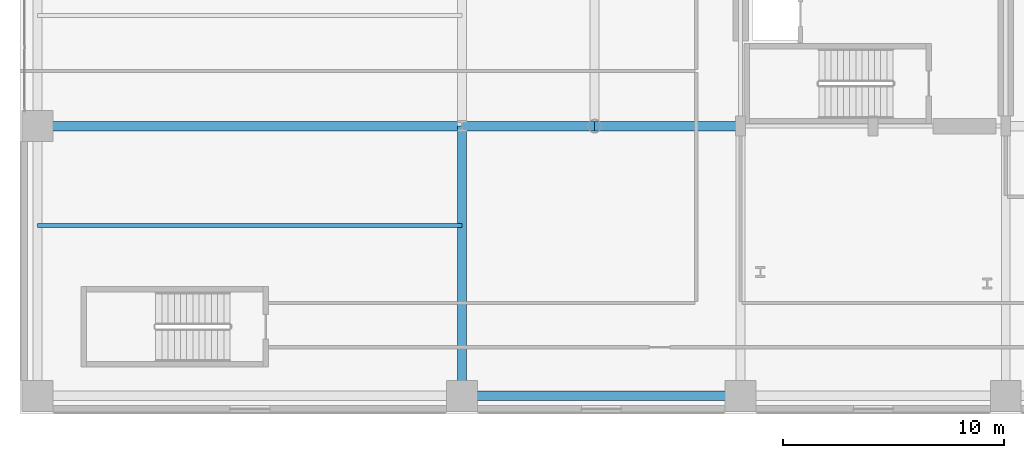
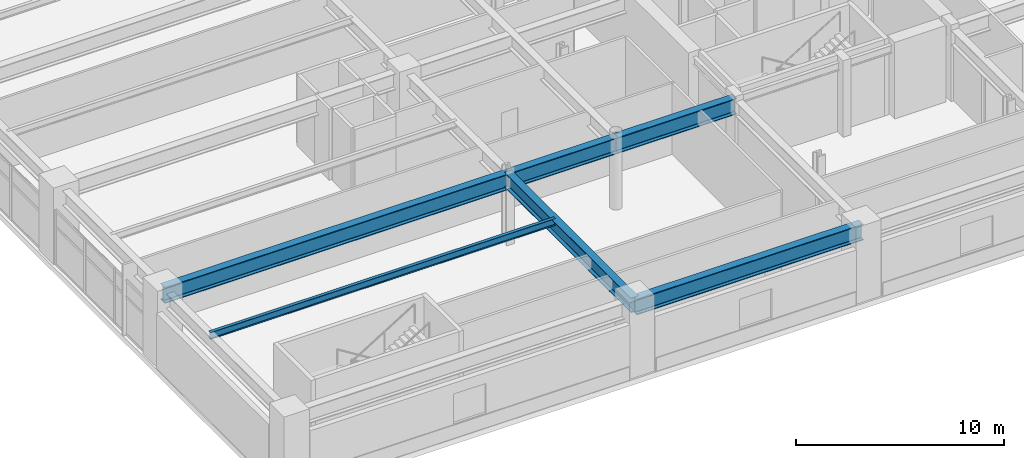
# One storey, part 6 of 28: 6 beams.
"""IFC4 building model written with IfcOpenShell, lengths in metres."""

from ifc_helpers import new_model, si_unit, direction, frame, origin, origin_2d, place, context, subcontext, project, spatial, i_section, extrude, material, material_profile, profile_set, type_object, element, save


model = new_model("IFC4")

# Units and contexts
model_context = context("Model", 3, precision=1e-05, world=origin(), true_north=direction((0.0, 1.0)))
body_context = subcontext(model_context, "Body", "Model", "MODEL_VIEW")
ifc_project = project(units=[si_unit("LENGTHUNIT", "METRE"), si_unit("AREAUNIT", "SQUARE_METRE"), si_unit("VOLUMEUNIT", "CUBIC_METRE"), si_unit("PLANEANGLEUNIT", "RADIAN"), si_unit("MASSUNIT", "GRAM", prefix="KILO")], contexts=[model_context])

# Site, building, storey
site_placement = place(None, origin())
site = spatial("IfcSite", under=ifc_project, at=site_placement, CompositionType="ELEMENT")
building_placement = place(site_placement, origin())
building = spatial("IfcBuilding", under=site, at=building_placement, Name="Soratama Intermodal Tower", CompositionType="ELEMENT")
storey_placement = place(building_placement, frame((0.0, 0.0, 20.699951171875)))
storey = spatial("IfcBuildingStorey", under=building, at=storey_placement, Name="L04", CompositionType="ELEMENT", Elevation=20.699951171875)

# Beams
ifc_material_1 = material(Name="Structural steel ASTM A992 Grade 50", Category="steel")
ifc_material_profile_1 = material_profile(ifc_material_1, i_section(OverallWidth=0.177978515625, OverallDepth=0.406982421875, WebThickness=0.0078125, FlangeThickness=0.0126953125, FilletRadius=0.010009765625, at=origin_2d()), Name="W16X40")
ifc_profile_set_1 = profile_set([ifc_material_profile_1], Name="Structural steel ASTM A992 Grade 50")
beam_type_1 = type_object("IfcBeamType", Name="BM-JST-W16X40", PredefinedType="JOIST", material=ifc_profile_set_1)
beam_1_placement = place(storey_placement, frame((0.800048828125, 10.5, 3.9765625), z_axis=(1.0, 0.0, 0.0), x_axis=(0.0, 1.0, 0.0)))
element("IfcBeam", 1, at=beam_1_placement, inside=storey, type_object=beam_type_1, Name="JST-L04-W1", PredefinedType="JOIST", context=body_context, shape_type="SweptSolid", body=[
    extrude(i_section(OverallWidth=0.177978515625, OverallDepth=0.406982421875, WebThickness=0.0078125, FlangeThickness=0.0126953125, FilletRadius=0.010009765625, at=origin_2d()), origin(), (0.0, 0.0, 1.0), 19.199951171875),
])
ifc_material_2 = material(Name="Structural steel ASTM A992 Grade 50", Category="steel")
ifc_material_profile_2 = material_profile(ifc_material_2, i_section(OverallWidth=0.423095703125, OverallDepth=0.93896484375, WebThickness=0.02392578125, FlangeThickness=0.042724609375, FilletRadius=0.02392578125, at=origin_2d()), Name="W36X302")
ifc_profile_set_2 = profile_set([ifc_material_profile_2], Name="Structural steel ASTM A992 Grade 50")
beam_type_2 = type_object("IfcBeamType", Name="BM-POD-EXT-W36", PredefinedType="BEAM", material=ifc_profile_set_2)
beam_2_placement = place(storey_placement, frame((20.0, 2.800048828125, 3.71044921875), z_axis=(1.0, 0.0, 0.0), x_axis=(0.0, 1.0, 0.0)))
element("IfcBeam", 2, at=beam_2_placement, inside=storey, type_object=beam_type_2, Name="L04 Station Girder X1-2", PredefinedType="BEAM", context=body_context, shape_type="SweptSolid", body=[
    extrude(i_section(OverallWidth=0.423095703125, OverallDepth=0.93896484375, WebThickness=0.02392578125, FlangeThickness=0.042724609375, FilletRadius=0.02392578125, at=origin_2d()), origin(), (0.0, 0.0, 1.0), 12.60009765625),
])
ifc_material_3 = material(Name="Structural steel ASTM A992 Grade 50", Category="steel")
ifc_material_profile_3 = material_profile(ifc_material_3, i_section(OverallWidth=0.403076171875, OverallDepth=0.867919921875, WebThickness=0.02099609375, FlangeThickness=0.03564453125, FilletRadius=0.01806640625, at=origin_2d()), Name="W33X241")
ifc_profile_set_3 = profile_set([ifc_material_profile_3], Name="Structural steel ASTM A992 Grade 50")
beam_type_3 = type_object("IfcBeamType", Name="BM-POD-W33X241", PredefinedType="BEAM", material=ifc_profile_set_3)
beam_3_placement = place(storey_placement, frame((20.0, 2.800048828125, 3.74609375), z_axis=(0.0, 1.0, 0.0), x_axis=(-1.0, 0.0, 0.0)))
element("IfcBeam", 3, at=beam_3_placement, inside=storey, type_object=beam_type_3, Name="L04 Station Girder Y2-1", PredefinedType="BEAM", context=body_context, shape_type="SweptSolid", body=[
    extrude(i_section(OverallWidth=0.403076171875, OverallDepth=0.867919921875, WebThickness=0.02099609375, FlangeThickness=0.03564453125, FilletRadius=0.01806640625, at=origin_2d()), origin(), (0.0, 0.0, 1.0), 12.199951171875),
])
ifc_material_4 = material(Name="Structural steel ASTM A992 Grade 50", Category="steel")
ifc_material_profile_4 = material_profile(ifc_material_4, i_section(OverallWidth=0.423095703125, OverallDepth=0.93896484375, WebThickness=0.02392578125, FlangeThickness=0.042724609375, FilletRadius=0.02392578125, at=origin_2d()), Name="W36X302")
ifc_profile_set_4 = profile_set([ifc_material_profile_4], Name="Structural steel ASTM A992 Grade 50")
beam_type_4 = type_object("IfcBeamType", Name="BM-POD-W36X302", PredefinedType="BEAM", material=ifc_profile_set_4)
beam_4_placement = place(storey_placement, frame((0.800048828125, 15.0, 3.71044921875), z_axis=(1.0, 0.0, 0.0), x_axis=(0.0, 1.0, 0.0)))
element("IfcBeam", 4, at=beam_4_placement, inside=storey, type_object=beam_type_4, Name="L04 Station Girder X2-1", PredefinedType="BEAM", context=body_context, shape_type="SweptSolid", body=[
    extrude(i_section(OverallWidth=0.423095703125, OverallDepth=0.93896484375, WebThickness=0.02392578125, FlangeThickness=0.042724609375, FilletRadius=0.02392578125, at=origin_2d()), origin(), (0.0, 0.0, 1.0), 19.199951171875),
])
beam_5_placement = place(storey_placement, frame((20.0, 15.0, 3.71044921875), z_axis=(1.0, 0.0, 0.0), x_axis=(0.0, 1.0, 0.0)))
element("IfcBeam", 5, at=beam_5_placement, inside=storey, type_object=beam_type_4, Name="L04 Station Girder X2-2", PredefinedType="BEAM", context=body_context, shape_type="SweptSolid", body=[
    extrude(i_section(OverallWidth=0.423095703125, OverallDepth=0.93896484375, WebThickness=0.02392578125, FlangeThickness=0.042724609375, FilletRadius=0.02392578125, at=origin_2d()), origin(), (0.0, 0.0, 1.0), 6.0),
])
beam_6_placement = place(storey_placement, frame((26.0, 15.0, 3.71044921875), z_axis=(1.0, 0.0, 0.0), x_axis=(0.0, 1.0, 0.0)))
element("IfcBeam", 6, at=beam_6_placement, inside=storey, type_object=beam_type_4, Name="L04 Station Girder X2-3", PredefinedType="BEAM", context=body_context, shape_type="SweptSolid", body=[
    extrude(i_section(OverallWidth=0.423095703125, OverallDepth=0.93896484375, WebThickness=0.02392578125, FlangeThickness=0.042724609375, FilletRadius=0.02392578125, at=origin_2d()), origin(), (0.0, 0.0, 1.0), 6.60009765625),
])

save(model, "model.ifc")
